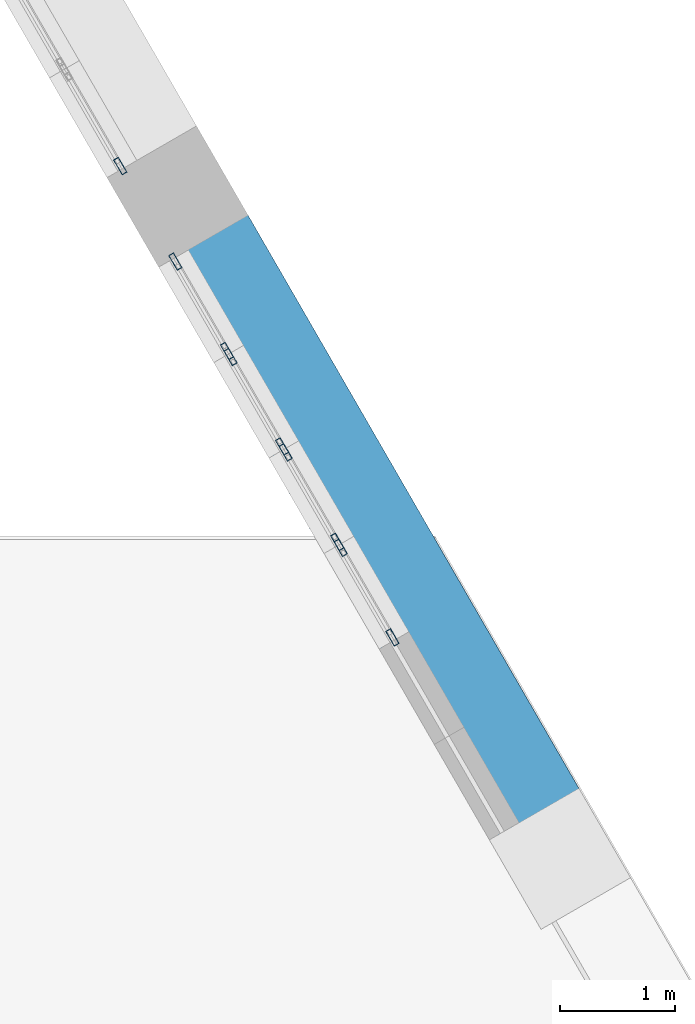
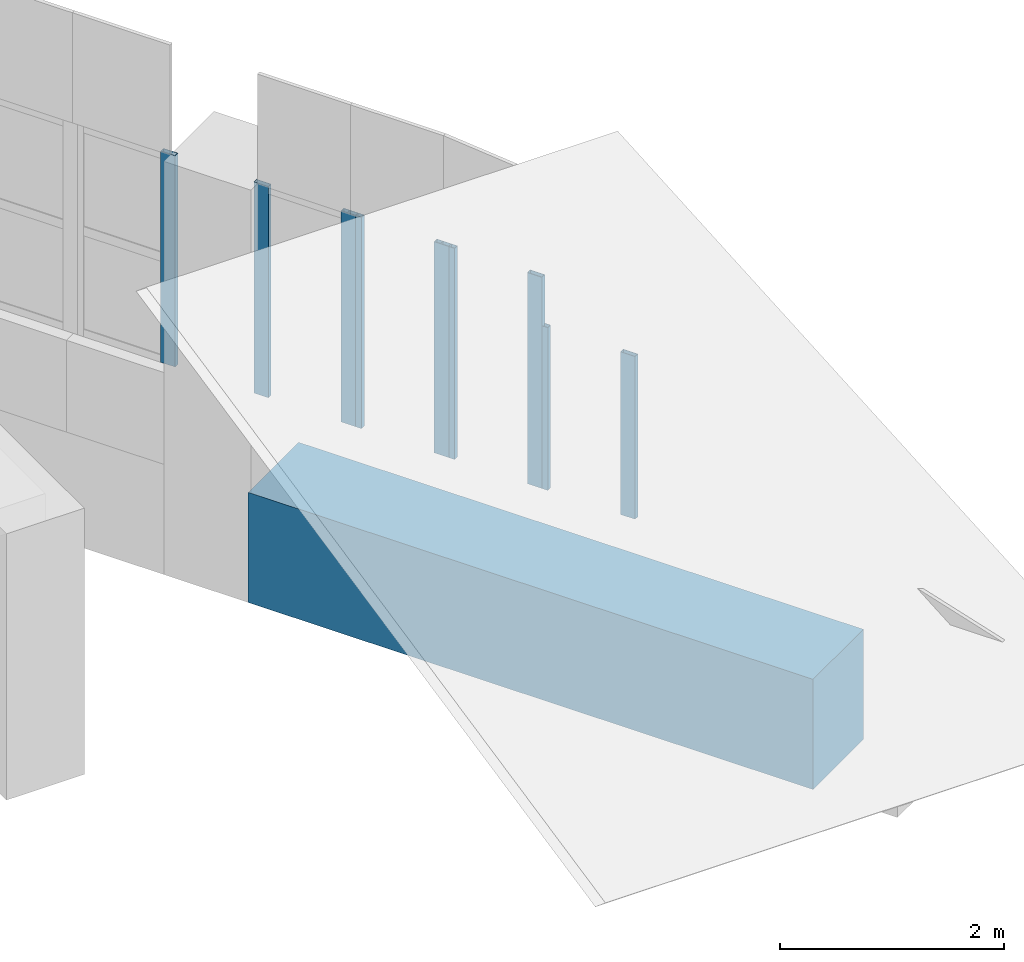
# One storey, part 6 of 11: 9 members, 1 beam, 5 elements without a shape of their own.
"""IFC4 building model written with IfcOpenShell, lengths in metres."""

from ifc_helpers import new_model, si_unit, direction, frame, origin, origin_2d, place, context, subcontext, project, spatial, rectangle, hollow_rectangle, extrude, material, material_profile, profile_set, type_object, element, aggregate, save


model = new_model("IFC4")

# Units and contexts
model_context = context("Model", 3, precision=1e-05, world=origin(), true_north=direction((0.0, 1.0)))
body_context = subcontext(model_context, "Body", "Model", "MODEL_VIEW")
ifc_project = project(units=[si_unit("LENGTHUNIT", "METRE"), si_unit("AREAUNIT", "SQUARE_METRE"), si_unit("VOLUMEUNIT", "CUBIC_METRE"), si_unit("PLANEANGLEUNIT", "RADIAN"), si_unit("MASSUNIT", "GRAM", prefix="KILO")], contexts=[model_context])

# Site, building, storey
site_placement = place(None, origin())
site = spatial("IfcSite", under=ifc_project, at=site_placement, CompositionType="ELEMENT")
building_placement = place(site_placement, origin())
building = spatial("IfcBuilding", under=site, at=building_placement, Name="Ostrander Bayou Hotel Tower", CompositionType="ELEMENT")
storey_placement = place(building_placement, frame((0.0, 0.0, 293.0)))
storey = spatial("IfcBuildingStorey", under=building, at=storey_placement, Name="Roof 72", CompositionType="ELEMENT", Elevation=293.0)

# Curtain wall, members
ifc_material_1 = material(Name="Aluminium and clear glass", Category="aluminium")
curtain_wall_type = type_object("IfcCurtainWallType", Name="CW-CROWN glazed wall", PredefinedType="NOTDEFINED", material=ifc_material_1)
curtain_wall_1_placement = place(storey_placement, origin())
curtain_wall_1 = element("IfcCurtainWall", 1, at=curtain_wall_1_placement, inside=storey, type_object=curtain_wall_type, Name="CW-CROWN L72:NE-2-3", PredefinedType="NOTDEFINED")
ifc_material_2 = material(Name="Aluminium", Category="aluminium")
ifc_material_profile_1 = material_profile(ifc_material_2, hollow_rectangle(XDim=0.050048828125, YDim=0.14990234375, WallThickness=0.00390625, at=origin_2d()))
ifc_profile_set_1 = profile_set([ifc_material_profile_1], Name="Aluminium")
member_type = type_object("IfcMemberType", Name="CW-CR mullion 50 x 150 mm", PredefinedType="MULLION", material=ifc_profile_set_1)
member_1_placement = place(storey_placement, frame((13.796142578125, 6.8916015625, 1.0), z_axis=(0.0, 0.0, 1.0), x_axis=(-0.866048535364, -0.499959932788, 0.0)))
member_1 = element("IfcMember", 2, at=member_1_placement, type_object=member_type, Name="CW-CROWN mullion 1", PredefinedType="MULLION", context=body_context, shape_type="SweptSolid", body=[
    extrude(hollow_rectangle(XDim=0.050048828125, YDim=0.14990234375, WallThickness=0.00390625, at=origin_2d()), origin(), (0.0, 0.0, 1.0), 1.77197265625),
])
member_2_placement = place(storey_placement, frame((13.34619140625, 7.6708984375, 1.0), z_axis=(0.0, 0.0, 1.0), x_axis=(-0.866048535364, -0.499959932788, 0.0)))
member_2 = element("IfcMember", 3, at=member_2_placement, type_object=member_type, Name="CW-CROWN mullion 2", PredefinedType="MULLION", context=body_context, shape_type="SweptSolid", body=[
    extrude(hollow_rectangle(XDim=0.050048828125, YDim=0.14990234375, WallThickness=0.00390625, at=origin_2d()), origin(), (0.0, 0.0, 1.0), 1.77197265625),
])
aggregate(curtain_wall_1, [member_1, member_2])

curtain_wall_2_placement = place(storey_placement, origin())
curtain_wall_2 = element("IfcCurtainWall", 4, at=curtain_wall_2_placement, inside=storey, type_object=curtain_wall_type, Name="CW-CROWN L72:NE-2-4", PredefinedType="NOTDEFINED")
member_3_placement = place(storey_placement, frame((13.316162109375, 7.722900390625, 1.0), z_axis=(0.0, 0.0, 1.0), x_axis=(-0.866022491007, -0.500005045044, 0.0)))
member_3 = element("IfcMember", 5, at=member_3_placement, type_object=member_type, Name="CW-CROWN mullion 1", PredefinedType="MULLION", context=body_context, shape_type="SweptSolid", body=[
    extrude(hollow_rectangle(XDim=0.050048828125, YDim=0.14990234375, WallThickness=0.00390625, at=origin_2d()), origin(), (0.0, 0.0, 1.0), 2.300048828125),
])
member_4_placement = place(storey_placement, frame((12.8662109375, 8.501953125, 1.0), z_axis=(0.0, 0.0, 1.0), x_axis=(-0.866022491007, -0.500005045044, 0.0)))
member_4 = element("IfcMember", 6, at=member_4_placement, type_object=member_type, Name="CW-CROWN mullion 2", PredefinedType="MULLION", context=body_context, shape_type="SweptSolid", body=[
    extrude(hollow_rectangle(XDim=0.050048828125, YDim=0.14990234375, WallThickness=0.00390625, at=origin_2d()), origin(), (0.0, 0.0, 1.0), 2.300048828125),
])
aggregate(curtain_wall_2, [member_3, member_4])

curtain_wall_3_placement = place(storey_placement, origin())
curtain_wall_3 = element("IfcCurtainWall", 7, at=curtain_wall_3_placement, inside=storey, type_object=curtain_wall_type, Name="CW-CROWN L72:NE-2-5", PredefinedType="NOTDEFINED")
member_5_placement = place(storey_placement, frame((12.836181640625, 8.553955078125, 1.0), z_axis=(0.0, 0.0, 1.0), x_axis=(-0.866022491007, -0.500005045044, 0.0)))
member_5 = element("IfcMember", 8, at=member_5_placement, type_object=member_type, Name="CW-CROWN mullion 1", PredefinedType="MULLION", context=body_context, shape_type="SweptSolid", body=[
    extrude(hollow_rectangle(XDim=0.050048828125, YDim=0.14990234375, WallThickness=0.00390625, at=origin_2d()), origin(), (0.0, 0.0, 1.0), 2.300048828125),
])
member_6_placement = place(storey_placement, frame((12.386474609375, 9.333251953125, 1.0), z_axis=(0.0, 0.0, 1.0), x_axis=(-0.866022491007, -0.500005045044, 0.0)))
member_6 = element("IfcMember", 9, at=member_6_placement, type_object=member_type, Name="CW-CROWN mullion 2", PredefinedType="MULLION", context=body_context, shape_type="SweptSolid", body=[
    extrude(hollow_rectangle(XDim=0.050048828125, YDim=0.14990234375, WallThickness=0.00390625, at=origin_2d()), origin(), (0.0, 0.0, 1.0), 2.300048828125),
])
aggregate(curtain_wall_3, [member_5, member_6])

curtain_wall_4_placement = place(storey_placement, origin())
curtain_wall_4 = element("IfcCurtainWall", 10, at=curtain_wall_4_placement, inside=storey, type_object=curtain_wall_type, Name="CW-CROWN L72:NE-2-6", PredefinedType="NOTDEFINED")
member_7_placement = place(storey_placement, frame((12.3564453125, 9.38525390625, 1.0), z_axis=(0.0, 0.0, 1.0), x_axis=(-0.866022491007, -0.500005045044, 0.0)))
member_7 = element("IfcMember", 11, at=member_7_placement, type_object=member_type, Name="CW-CROWN mullion 1", PredefinedType="MULLION", context=body_context, shape_type="SweptSolid", body=[
    extrude(hollow_rectangle(XDim=0.050048828125, YDim=0.14990234375, WallThickness=0.00390625, at=origin_2d()), origin(), (0.0, 0.0, 1.0), 2.300048828125),
])
member_8_placement = place(storey_placement, frame((11.906494140625, 10.164306640625, 1.0), z_axis=(0.0, 0.0, 1.0), x_axis=(-0.866022491007, -0.500005045044, 0.0)))
member_8 = element("IfcMember", 12, at=member_8_placement, type_object=member_type, Name="CW-CROWN mullion 2", PredefinedType="MULLION", context=body_context, shape_type="SweptSolid", body=[
    extrude(hollow_rectangle(XDim=0.050048828125, YDim=0.14990234375, WallThickness=0.00390625, at=origin_2d()), origin(), (0.0, 0.0, 1.0), 2.300048828125),
])
aggregate(curtain_wall_4, [member_7, member_8])

# Curtain wall, member
curtain_wall_5_placement = place(storey_placement, origin())
curtain_wall_5 = element("IfcCurtainWall", 13, at=curtain_wall_5_placement, inside=storey, type_object=curtain_wall_type, Name="CW-CROWN L72:NE-3-1", PredefinedType="NOTDEFINED")
member_9_placement = place(storey_placement, frame((11.426513671875, 10.995849609375, 1.0), z_axis=(0.0, 0.0, 1.0), x_axis=(-0.866026229865, -0.499998569184, 0.0)))
member_9 = element("IfcMember", 14, at=member_9_placement, type_object=member_type, Name="CW-CROWN mullion 1", PredefinedType="MULLION", context=body_context, shape_type="SweptSolid", body=[
    extrude(hollow_rectangle(XDim=0.050048828125, YDim=0.14990234375, WallThickness=0.00390625, at=origin_2d()), origin(), (0.0, 0.0, 1.0), 2.300048828125),
])
aggregate(curtain_wall_5, [member_9])

# Beam
ifc_material_3 = material(Name="Concrete f'c 60 MPa", Category="concrete")
ifc_material_profile_2 = material_profile(ifc_material_3, rectangle(XDim=0.89990234375, YDim=1.199951171875, at=origin_2d()))
ifc_profile_set_2 = profile_set([ifc_material_profile_2], Name="Concrete f'c 60 MPa")
beam_type = type_object("IfcBeamType", Name="SP4 spandrel beam 900 x 1200 mm f'c 60 MPa", PredefinedType="SPANDREL", material=ifc_profile_set_2)
beam_placement = place(storey_placement, frame((15.045654296875, 5.3271484375, -0.60009765625), z_axis=(-0.499997265274, 0.866026982673, 0.0), x_axis=(-0.866026982673, -0.499997265274, 0.0)))
element("IfcBeam", 15, at=beam_placement, inside=storey, type_object=beam_type, Name="SP4 L72 NE-2", PredefinedType="SPANDREL", context=body_context, shape_type="SweptSolid", body=[
    extrude(rectangle(XDim=0.89990234375, YDim=1.199951171875, at=origin_2d()), origin(), (0.0, 0.0, 1.0), 5.81884765625),
])

save(model, "model.ifc")
